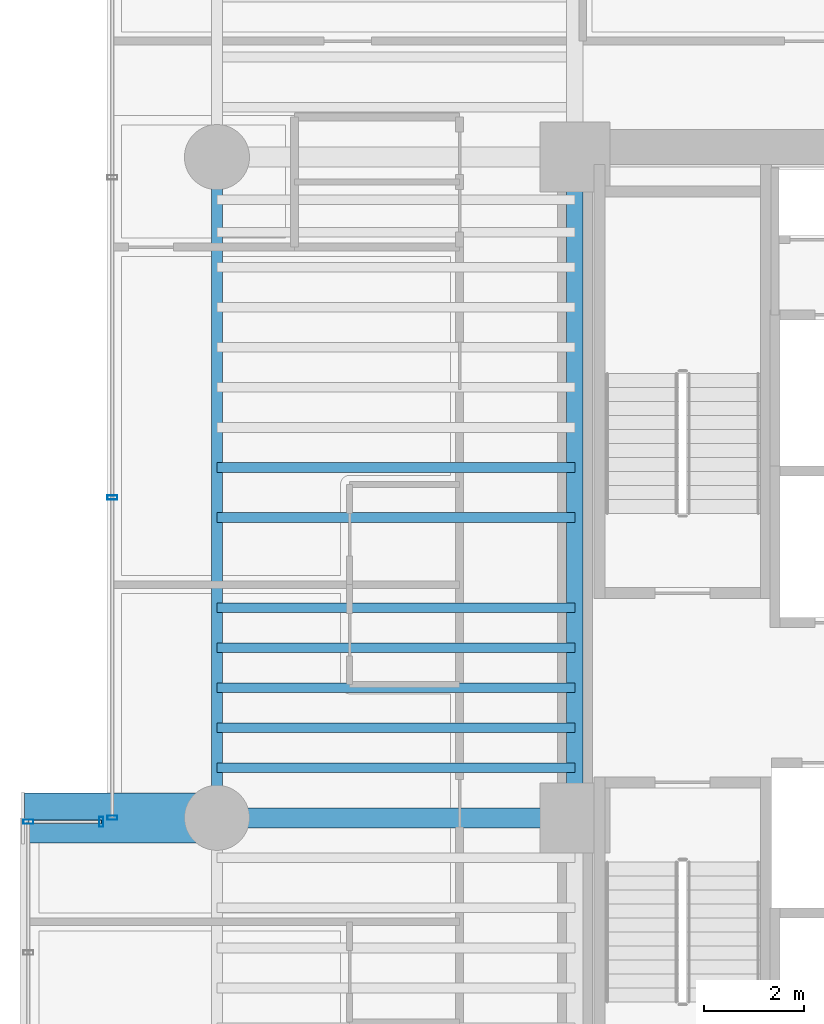
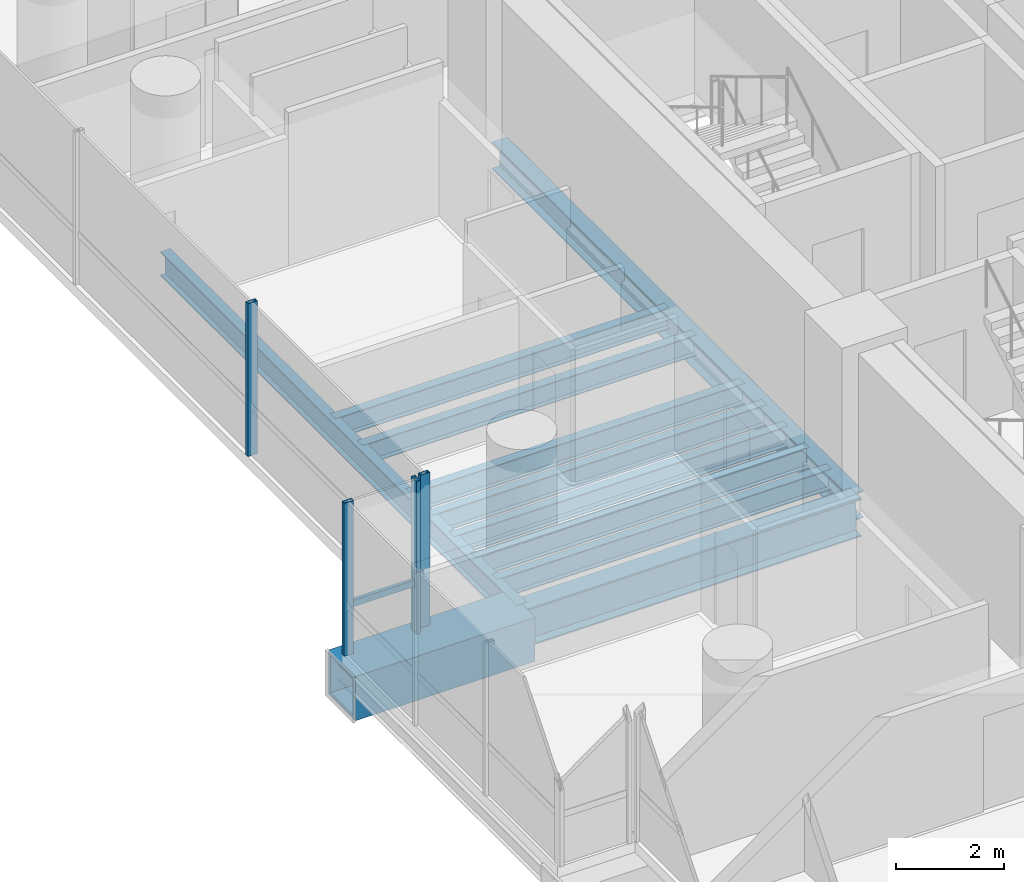
# One storey, part 8 of 42: 11 beams, 5 members, 3 elements without a shape of their own.
"""IFC4 building model written with IfcOpenShell, lengths in metres."""

from ifc_helpers import new_model, si_unit, direction, frame, origin, origin_2d, place, context, subcontext, project, spatial, hollow_rectangle, i_section, extrude, source, transform, mapped, material, material_profile, profile_set, type_object, element, aggregate, save


model = new_model("IFC4")

# Units and contexts
model_context = context("Model", 3, precision=1e-05, world=origin(), true_north=direction((0.0, 1.0)))
body_context = subcontext(model_context, "Body", "Model", "MODEL_VIEW")
ifc_project = project(units=[si_unit("LENGTHUNIT", "METRE"), si_unit("AREAUNIT", "SQUARE_METRE"), si_unit("VOLUMEUNIT", "CUBIC_METRE"), si_unit("PLANEANGLEUNIT", "RADIAN"), si_unit("MASSUNIT", "GRAM", prefix="KILO")], contexts=[model_context])

# Site, building, storey
site_placement = place(None, origin())
site = spatial("IfcSite", under=ifc_project, at=site_placement, CompositionType="ELEMENT")
building_placement = place(site_placement, origin())
building = spatial("IfcBuilding", under=site, at=building_placement, Name="Valdorenza Pilgrim Sanctuary Tower", CompositionType="ELEMENT")
storey_placement = place(building_placement, frame((0.0, 0.0, 29.699951171875)))
storey = spatial("IfcBuildingStorey", under=building, at=storey_placement, Name="L06", CompositionType="ELEMENT", Elevation=29.699951171875)

# Beams
ifc_material_1 = material(Name="Steel ASTM A992 Grade 50", Category="steel")
ifc_material_profile_1 = material_profile(ifc_material_1, i_section(OverallWidth=0.214111328125, OverallDepth=0.549072265625, WebThickness=0.0146484375, FlangeThickness=0.023681640625, at=origin_2d()), Name="W21X93")
ifc_profile_set_1 = profile_set([ifc_material_profile_1], Name="Steel ASTM A992 Grade 50")
beam_type_1 = type_object("IfcBeamType", Name="STR-BM-SPN-W21A", PredefinedType="SPANDREL", material=ifc_profile_set_1)
shared_shape_1 = source(origin(), body_context, "Body", "SweptSolid", [
    extrude(i_section(OverallWidth=0.214111328125, OverallDepth=0.549072265625, WebThickness=0.0146484375, FlangeThickness=0.023681640625, at=origin_2d()), origin(), (0.0, 0.0, 1.0), 13.2001953125),
])
beam_1_placement = place(storey_placement, frame((-29.800048828125, -2.60009765625, -0.514404296875), z_axis=(0.0, 1.0, 0.0), x_axis=(-1.0, 0.0, 0.0)))
element("IfcBeam", 1, at=beam_1_placement, inside=storey, type_object=beam_type_1, Name="L06 Spandrel Beam WA-W-M0N1", PredefinedType="SPANDREL", context=body_context, shape_type="MappedRepresentation", body=[
    mapped(shared_shape_1, transform((0.0, 0.0, 0.0), x_axis=(1.0, 0.0, 0.0), y_axis=(0.0, 1.0, 0.0), z_axis=(0.0, 0.0, 1.0), scale=1.0)),
])
ifc_material_profile_2 = material_profile(ifc_material_1, i_section(OverallWidth=0.323974609375, OverallDepth=0.611083984375, WebThickness=0.0126953125, FlangeThickness=0.01904296875, at=origin_2d()), Name="W24X104")
ifc_profile_set_2 = profile_set([ifc_material_profile_2], Name="Steel ASTM A992 Grade 50")
beam_type_2 = type_object("IfcBeamType", Name="STR-BM-GRD-W24B", PredefinedType="BEAM", material=ifc_profile_set_2)
shared_shape_2 = source(origin(), body_context, "Body", "SweptSolid", [
    extrude(i_section(OverallWidth=0.323974609375, OverallDepth=0.611083984375, WebThickness=0.0126953125, FlangeThickness=0.01904296875, at=origin_2d()), origin(), (0.0, 0.0, 1.0), 13.2001953125),
])
beam_2_placement = place(storey_placement, frame((-22.64990234375, -2.60009765625, -0.54541015625), z_axis=(0.0, 1.0, 0.0), x_axis=(-1.0, 0.0, 0.0)))
element("IfcBeam", 2, at=beam_2_placement, inside=storey, type_object=beam_type_2, Name="L06 Core Tie Girder CA-W-M0N1", PredefinedType="BEAM", context=body_context, shape_type="MappedRepresentation", body=[
    mapped(shared_shape_2, transform((0.0, 0.0, 0.0), x_axis=(1.0, 0.0, 0.0), y_axis=(0.0, 1.0, 0.0), z_axis=(0.0, 0.0, 1.0), scale=1.0)),
])
ifc_material_profile_3 = material_profile(ifc_material_1, i_section(OverallWidth=0.193115234375, OverallDepth=0.466064453125, WebThickness=0.011474609375, FlangeThickness=0.01904296875, at=origin_2d()), Name="W18X65")
ifc_profile_set_3 = profile_set([ifc_material_profile_3], Name="Steel ASTM A992 Grade 50")
beam_type_3 = type_object("IfcBeamType", Name="STR-BM-JST-W18A", PredefinedType="JOIST", material=ifc_profile_set_3)
shared_shape_3 = source(origin(), body_context, "Body", "SweptSolid", [
    extrude(i_section(OverallWidth=0.193115234375, OverallDepth=0.466064453125, WebThickness=0.011474609375, FlangeThickness=0.01904296875, at=origin_2d()), origin(), (0.0, 0.0, 1.0), 7.150146484375),
])
for number, where, z_axis, x_axis, name in (
    (3, (-29.800048828125, -1.60009765625, -0.472900390625), (1.0, 0.0, 0.0), (0.0, 1.0, 0.0), "L06 Composite Floor Joist JST-WA-10"),
    (4, (-29.800048828125, -0.800048828125, -0.472900390625), (1.0, 0.0, 0.0), (0.0, 1.0, 0.0), "L06 Composite Floor Joist JST-WA-11"),
    (5, (-29.800048828125, 0.0, -0.472900390625), (1.0, 0.0, 0.0), (0.0, 1.0, 0.0), "L06 Composite Floor Joist JST-WA-12"),
    (6, (-29.800048828125, 0.800048828125, -0.472900390625), (1.0, 0.0, 0.0), (0.0, 1.0, 0.0), "L06 Composite Floor Joist JST-WA-13"),
    (7, (-29.800048828125, 1.60009765625, -0.472900390625), (1.0, 0.0, 0.0), (0.0, 1.0, 0.0), "L06 Composite Floor Joist JST-WA-14"),
    (8, (-29.800048828125, 3.39990234375, -0.472900390625), (1.0, 0.0, 0.0), (0.0, 1.0, 0.0), "L06 Composite Floor Joist JST-WA-15"),
    (9, (-29.800048828125, 4.39990234375, -0.472900390625), (1.0, 0.0, 0.0), (0.0, 1.0, 0.0), "L06 Composite Floor Joist JST-WA-16"),
):
    element("IfcBeam", number, at=place(storey_placement, frame(where, z_axis=z_axis, x_axis=x_axis)), inside=storey, type_object=beam_type_3, Name=name, PredefinedType="JOIST", context=body_context, shape_type="MappedRepresentation", body=[
        mapped(shared_shape_3, transform((0.0, 0.0, 0.0), x_axis=(1.0, 0.0, 0.0), y_axis=(0.0, 1.0, 0.0), z_axis=(0.0, 0.0, 1.0), scale=1.0)),
    ])
ifc_material_2 = material(Name="Steel ASTM A572 Grade 42", Category="steel")
ifc_material_profile_4 = material_profile(ifc_material_2, hollow_rectangle(XDim=1.0, YDim=1.0, WallThickness=0.080078125, at=origin_2d()), Name="BOX 1000x1000x80")
ifc_profile_set_4 = profile_set([ifc_material_profile_4], Name="Steel ASTM A572 Grade 42")
beam_type_4 = type_object("IfcBeamType", Name="STR-BM-PROW-CANT", PredefinedType="BEAM", material=ifc_profile_set_4)
shared_shape_4 = source(origin(), body_context, "Body", "SweptSolid", [
    extrude(hollow_rectangle(XDim=1.0, YDim=1.0, WallThickness=0.080078125, at=origin_2d()), origin(), (0.0, 0.0, 1.0), 3.849853515625),
])
beam_3_placement = place(storey_placement, frame((-29.800048828125, -2.60009765625, -0.739990234375), z_axis=(-1.0, 0.0, 0.0), x_axis=(0.0, -1.0, 0.0)))
element("IfcBeam", 10, at=beam_3_placement, inside=storey, type_object=beam_type_4, Name="L06 Glass Box Cantilever Beam BOX-WA-L06-CT-N", PredefinedType="BEAM", context=body_context, shape_type="MappedRepresentation", body=[
    mapped(shared_shape_4, transform((0.0, 0.0, 0.0), x_axis=(1.0, 0.0, 0.0), y_axis=(0.0, 1.0, 0.0), z_axis=(0.0, 0.0, 1.0), scale=1.0)),
])
ifc_material_profile_5 = material_profile(ifc_material_1, i_section(OverallWidth=0.39990234375, OverallDepth=0.862060546875, WebThickness=0.019775390625, FlangeThickness=0.032470703125, at=origin_2d()), Name="W33X221")
ifc_profile_set_5 = profile_set([ifc_material_profile_5], Name="Steel ASTM A992 Grade 50")
beam_type_5 = type_object("IfcBeamType", Name="STR-BM-GRD-W33", PredefinedType="BEAM", material=ifc_profile_set_5)
shared_shape_5 = source(origin(), body_context, "Body", "SweptSolid", [
    extrude(i_section(OverallWidth=0.39990234375, OverallDepth=0.862060546875, WebThickness=0.019775390625, FlangeThickness=0.032470703125, at=origin_2d()), origin(), (0.0, 0.0, 1.0), 7.150146484375),
])
beam_4_placement = place(storey_placement, frame((-29.800048828125, -2.60009765625, -0.6708984375), z_axis=(1.0, 0.0, 0.0), x_axis=(0.0, 1.0, 0.0)))
element("IfcBeam", 11, at=beam_4_placement, inside=storey, type_object=beam_type_5, Name="L06 Floor Girder WA-XW-M0", PredefinedType="BEAM", context=body_context, shape_type="MappedRepresentation", body=[
    mapped(shared_shape_5, transform((0.0, 0.0, 0.0), x_axis=(1.0, 0.0, 0.0), y_axis=(0.0, 1.0, 0.0), z_axis=(0.0, 0.0, 1.0), scale=1.0)),
])

# Curtain wall, members
ifc_material_3 = material(Name="Curtain-wall IGU glazing", Category="glass")
curtain_wall_type = type_object("IfcCurtainWallType", Name="CW-SYS-02", PredefinedType="NOTDEFINED", material=ifc_material_3)
curtain_wall_1_placement = place(storey_placement, origin())
curtain_wall_1 = element("IfcCurtainWall", 12, at=curtain_wall_1_placement, inside=storey, type_object=curtain_wall_type, Name="L06 Curtain Wall CW-L06-1-1S2", PredefinedType="NOTDEFINED")
ifc_material_4 = material(Name="Anodised aluminium AW-6060", Category="aluminium")
ifc_material_profile_6 = material_profile(ifc_material_4, hollow_rectangle(XDim=0.0849609375, YDim=0.199951171875, WallThickness=0.0048828125, at=origin_2d()), Name="ALU-M 200x85x5")
ifc_profile_set_6 = profile_set([ifc_material_profile_6], Name="Anodised aluminium AW-6060")
member_type_1 = type_object("IfcMemberType", Name="CW-MUL-02", PredefinedType="MULLION", material=ifc_profile_set_6)
shared_shape_6 = source(origin(), body_context, "Body", "SweptSolid", [
    extrude(hollow_rectangle(XDim=0.0849609375, YDim=0.199951171875, WallThickness=0.0048828125, at=origin_2d()), origin(), (0.0, 0.0, 1.0), 3.4599609375),
])
member_1_placement = place(storey_placement, frame((-31.889892578125, -2.60009765625, 0.0), z_axis=(0.0, 0.0, 1.0), x_axis=(0.0, 1.0, 0.0)))
member_1 = element("IfcMember", 13, at=member_1_placement, type_object=member_type_1, Name="CW-L06-1-1S2 Mullion 1", PredefinedType="MULLION", context=body_context, shape_type="MappedRepresentation", body=[
    mapped(shared_shape_6, transform((0.0, 0.0, 0.0), x_axis=(1.0, 0.0, 0.0), y_axis=(0.0, 1.0, 0.0), z_axis=(0.0, 0.0, 1.0), scale=1.0)),
])
member_2_placement = place(storey_placement, frame((-31.889892578125, 3.798095703125, 0.0), z_axis=(0.0, 0.0, 1.0), x_axis=(0.0, 1.0, 0.0)))
member_2 = element("IfcMember", 14, at=member_2_placement, type_object=member_type_1, Name="CW-L06-1-1S2 Mullion 2", PredefinedType="MULLION", context=body_context, shape_type="MappedRepresentation", body=[
    mapped(shared_shape_6, transform((0.0, 0.0, 0.0), x_axis=(1.0, 0.0, 0.0), y_axis=(0.0, 1.0, 0.0), z_axis=(0.0, 0.0, 1.0), scale=1.0)),
])
aggregate(curtain_wall_1, [member_1, member_2])

# Curtain wall, member
curtain_wall_2_placement = place(storey_placement, origin())
curtain_wall_2 = element("IfcCurtainWall", 15, at=curtain_wall_2_placement, inside=storey, type_object=curtain_wall_type, Name="L06 Curtain Wall CW-L06-BOX-WA-L06-F", PredefinedType="NOTDEFINED")
member_3_placement = place(storey_placement, frame((-33.570068359375, -2.679931640625, 0.0), z_axis=(0.0, 0.0, 1.0), x_axis=(0.0, 1.0, 0.0)))
member_3 = element("IfcMember", 16, at=member_3_placement, type_object=member_type_1, Name="CW-L06-BOX-WA-L06-F Mullion 4", PredefinedType="MULLION", context=body_context, shape_type="MappedRepresentation", body=[
    mapped(shared_shape_6, transform((0.0, 0.0, 0.0), x_axis=(1.0, 0.0, 0.0), y_axis=(0.0, 1.0, 0.0), z_axis=(0.0, 0.0, 1.0), scale=1.0)),
])
aggregate(curtain_wall_2, [member_3])

# Curtain wall, members
curtain_wall_3_placement = place(storey_placement, origin())
curtain_wall_3 = element("IfcCurtainWall", 17, at=curtain_wall_3_placement, inside=storey, type_object=curtain_wall_type, Name="L06 Curtain Wall CW-L06-BOX-WA-L06-N", PredefinedType="NOTDEFINED")
member_4_placement = place(storey_placement, frame((-32.110107421875, -2.679931640625, 0.0), z_axis=(0.0, 0.0, 1.0), x_axis=(1.0, 0.0, 0.0)))
member_4 = element("IfcMember", 18, at=member_4_placement, type_object=member_type_1, Name="CW-L06-BOX-WA-L06-N Mullion 2", PredefinedType="MULLION", context=body_context, shape_type="MappedRepresentation", body=[
    mapped(shared_shape_6, transform((0.0, 0.0, 0.0), x_axis=(1.0, 0.0, 0.0), y_axis=(0.0, 1.0, 0.0), z_axis=(0.0, 0.0, 1.0), scale=1.0)),
])
ifc_material_profile_7 = material_profile(ifc_material_4, hollow_rectangle(XDim=0.074951171875, YDim=0.14990234375, WallThickness=0.00390625, at=origin_2d()), Name="ALU-T 150x75x4")
ifc_profile_set_7 = profile_set([ifc_material_profile_7], Name="Anodised aluminium AW-6060")
member_type_2 = type_object("IfcMemberType", Name="CW-TRN-02", PredefinedType="USERDEFINED", material=ifc_profile_set_7)
shared_shape_7 = source(origin(), body_context, "Body", "SweptSolid", [
    extrude(hollow_rectangle(XDim=0.074951171875, YDim=0.14990234375, WallThickness=0.00390625, at=origin_2d()), origin(), (0.0, 0.0, 1.0), 1.4599609375),
])
member_5_placement = place(storey_placement, frame((-33.570068359375, -2.679931640625, 1.1201171875), z_axis=(1.0, 0.0, 0.0), x_axis=(0.0, 1.0, 0.0)))
member_5 = element("IfcMember", 19, at=member_5_placement, type_object=member_type_2, Name="CW-L06-BOX-WA-L06-N Transom 1", ObjectType="TRANSOM", PredefinedType="USERDEFINED", context=body_context, shape_type="MappedRepresentation", body=[
    mapped(shared_shape_7, transform((0.0, 0.0, 0.0), x_axis=(1.0, 0.0, 0.0), y_axis=(0.0, 1.0, 0.0), z_axis=(0.0, 0.0, 1.0), scale=1.0)),
])
aggregate(curtain_wall_3, [member_4, member_5])

save(model, "model.ifc")
